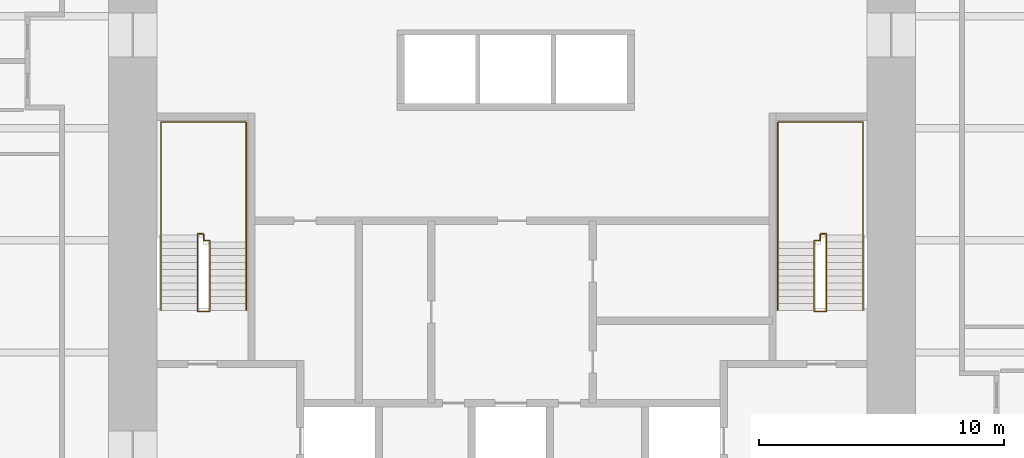
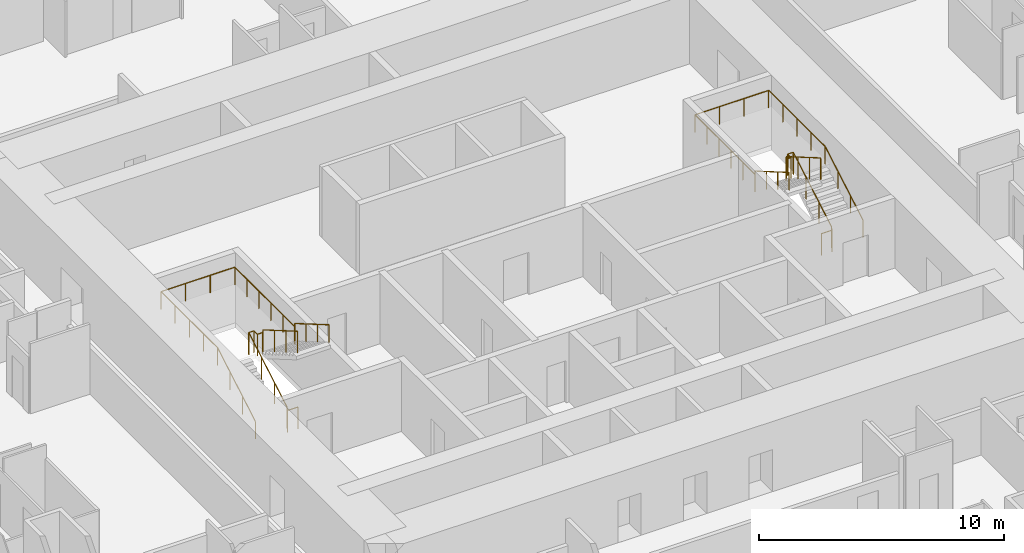
# One storey, part 13 of 13: 4 railings.
"""IFC4 building model written with IfcOpenShell, lengths in metres."""

from ifc_helpers import new_model, si_unit, direction, frame, origin, origin_2d, place, context, subcontext, project, spatial, circle, extrude, material, type_object, element, save


model = new_model("IFC4")

# Units and contexts
model_context = context("Model", 3, precision=1e-05, world=origin(), true_north=direction((0.0, 1.0)))
body_context = subcontext(model_context, "Body", "Model", "MODEL_VIEW")
ifc_project = project(units=[si_unit("LENGTHUNIT", "METRE"), si_unit("AREAUNIT", "SQUARE_METRE"), si_unit("VOLUMEUNIT", "CUBIC_METRE"), si_unit("PLANEANGLEUNIT", "RADIAN"), si_unit("MASSUNIT", "GRAM", prefix="KILO")], contexts=[model_context])

# Site, building, storey
site_placement = place(None, origin())
site = spatial("IfcSite", under=ifc_project, at=site_placement, CompositionType="ELEMENT")
building_placement = place(site_placement, origin())
building = spatial("IfcBuilding", under=site, at=building_placement, Name="Khuree Lantern Residences", CompositionType="ELEMENT")
storey_placement = place(building_placement, frame((0.0, 0.0, 114.75)))
storey = spatial("IfcBuildingStorey", under=building, at=storey_placement, Name="L28", CompositionType="ELEMENT", Elevation=114.75)

# Railings
ifc_material = material(Name="Steel S355", Category="steel")
railing_type_1 = type_object("IfcRailingType", Name="STAIR GUARD G1 1100", PredefinedType="GUARDRAIL", material=ifc_material)
railing_1_placement = place(storey_placement, frame((-12.35009765625, -2.909912109375, 0.0)))
element("IfcRailing", 1, at=railing_1_placement, inside=storey, type_object=railing_type_1, Name="Stair ST1 guard", PredefinedType="GUARDRAIL", context=body_context, shape_type="SweptSolid", body=[
    extrude(circle(Radius=0.02392578125, at=origin_2d()), frame((0.0, 0.0, 1.076171875), z_axis=(-1.0, 0.0, 0.0), x_axis=(0.0, -1.0, 0.0)), (0.0, 0.0, 1.0), 0.5),
    extrude(circle(Radius=0.02392578125, at=origin_2d()), frame((-0.5, 0.0, 1.076171875), z_axis=(0.0, 0.292073035251, 0.95639601739), x_axis=(-1.0, 0.0, 0.0)), (0.0, 0.0, 1.0), 0.17041015625),
    extrude(circle(Radius=0.02392578125, at=origin_2d()), frame((-0.5, 0.0498046875, 1.2392578125), z_axis=(0.0, 0.864176135923, 0.503189433615), x_axis=(-1.0, 0.0, 0.0)), (0.0, 0.0, 1.0), 3.564208984375),
    extrude(circle(Radius=0.02392578125, at=origin_2d()), frame((-0.5, 3.1298828125, 3.03271484375), z_axis=(0.0, 1.0, 0.0), x_axis=(-1.0, 0.0, 0.0)), (0.0, 0.0, 1.0), 0.050048828125),
    extrude(circle(Radius=0.02392578125, at=origin_2d()), frame((-0.5, 3.179931640625, 3.03271484375), z_axis=(1.0, 0.0, 0.0), x_axis=(0.0, 1.0, 0.0)), (0.0, 0.0, 1.0), 0.25),
    extrude(circle(Radius=0.02392578125, at=origin_2d()), frame((-0.25, 3.179931640625, 3.03271484375), z_axis=(0.0, -1.0, 0.0), x_axis=(1.0, 0.0, 0.0)), (0.0, 0.0, 1.0), 0.280029296875),
    extrude(circle(Radius=0.02392578125, at=origin_2d()), frame((-0.25, 2.89990234375, 3.03271484375), z_axis=(1.0, 0.0, 0.0), x_axis=(0.0, 1.0, 0.0)), (0.0, 0.0, 1.0), 0.25),
    extrude(circle(Radius=0.02392578125, at=origin_2d()), frame((0.0, 2.89990234375, 3.03271484375), z_axis=(0.0, -0.293381807449, 0.955995353053), x_axis=(1.0, 0.0, 0.0)), (0.0, 0.0, 1.0), 0.170654296875),
    extrude(circle(Radius=0.02392578125, at=origin_2d()), frame((0.0, 2.849853515625, 3.19580078125), z_axis=(0.0, -0.864180358799, 0.503182181189), x_axis=(1.0, 0.0, 0.0)), (0.0, 0.0, 1.0), 3.240234375),
    extrude(circle(Radius=0.02099609375, at=origin_2d()), origin(), (0.0, 0.0, 1.0), 1.052001953125),
    extrude(circle(Radius=0.02099609375, at=origin_2d()), frame((-0.5, 0.0, 0.0)), (0.0, 0.0, 1.0), 1.052001953125),
    extrude(circle(Radius=0.02099609375, at=origin_2d()), frame((-0.5, 0.0498046875, 0.1630859375)), (0.0, 0.0, 1.0), 1.052001953125),
    extrude(circle(Radius=0.02099609375, at=origin_2d()), frame((-0.5, 1.076416015625, 0.760986328125)), (0.0, 0.0, 1.0), 1.052001953125),
    extrude(circle(Radius=0.02099609375, at=origin_2d()), frame((-0.5, 2.103271484375, 1.358642578125)), (0.0, 0.0, 1.0), 1.052001953125),
    extrude(circle(Radius=0.02099609375, at=origin_2d()), frame((-0.5, 3.1298828125, 1.95654296875)), (0.0, 0.0, 1.0), 1.052001953125),
    extrude(circle(Radius=0.02099609375, at=origin_2d()), frame((-0.5, 3.179931640625, 1.95654296875)), (0.0, 0.0, 1.0), 1.052001953125),
    extrude(circle(Radius=0.02099609375, at=origin_2d()), frame((-0.25, 3.179931640625, 1.95654296875)), (0.0, 0.0, 1.0), 1.052001953125),
    extrude(circle(Radius=0.02099609375, at=origin_2d()), frame((-0.25, 2.89990234375, 1.95654296875)), (0.0, 0.0, 1.0), 1.052001953125),
    extrude(circle(Radius=0.02099609375, at=origin_2d()), frame((0.0, 2.89990234375, 1.95654296875)), (0.0, 0.0, 1.0), 1.052001953125),
    extrude(circle(Radius=0.02099609375, at=origin_2d()), frame((0.0, 2.849853515625, 2.11962890625)), (0.0, 0.0, 1.0), 1.052001953125),
    extrude(circle(Radius=0.02099609375, at=origin_2d()), frame((0.0, 1.91650390625, 2.6630859375)), (0.0, 0.0, 1.0), 1.052001953125),
    extrude(circle(Radius=0.02099609375, at=origin_2d()), frame((0.0, 0.983154296875, 3.20654296875)), (0.0, 0.0, 1.0), 1.052001953125),
    extrude(circle(Radius=0.02099609375, at=origin_2d()), frame((0.0, 0.0498046875, 3.75)), (0.0, 0.0, 1.0), 1.052001953125),
])
railing_2_placement = place(storey_placement, frame((12.35009765625, -2.909912109375, 0.0)))
element("IfcRailing", 2, at=railing_2_placement, inside=storey, type_object=railing_type_1, Name="Stair ST2 guard", PredefinedType="GUARDRAIL", context=body_context, shape_type="SweptSolid", body=[
    extrude(circle(Radius=0.02392578125, at=origin_2d()), frame((0.0, 0.0, 1.076171875), z_axis=(1.0, 0.0, 0.0), x_axis=(0.0, 1.0, 0.0)), (0.0, 0.0, 1.0), 0.5),
    extrude(circle(Radius=0.02392578125, at=origin_2d()), frame((0.5, 0.0, 1.076171875), z_axis=(0.0, 0.292073035251, 0.95639601739), x_axis=(-1.0, 0.0, 0.0)), (0.0, 0.0, 1.0), 0.17041015625),
    extrude(circle(Radius=0.02392578125, at=origin_2d()), frame((0.5, 0.0498046875, 1.2392578125), z_axis=(0.0, 0.864176135923, 0.503189433615), x_axis=(-1.0, 0.0, 0.0)), (0.0, 0.0, 1.0), 3.564208984375),
    extrude(circle(Radius=0.02392578125, at=origin_2d()), frame((0.5, 3.1298828125, 3.03271484375), z_axis=(0.0, 1.0, 0.0), x_axis=(-1.0, 0.0, 0.0)), (0.0, 0.0, 1.0), 0.050048828125),
    extrude(circle(Radius=0.02392578125, at=origin_2d()), frame((0.5, 3.179931640625, 3.03271484375), z_axis=(-1.0, 0.0, 0.0), x_axis=(0.0, -1.0, 0.0)), (0.0, 0.0, 1.0), 0.25),
    extrude(circle(Radius=0.02392578125, at=origin_2d()), frame((0.25, 3.179931640625, 3.03271484375), z_axis=(0.0, -1.0, 0.0), x_axis=(1.0, 0.0, 0.0)), (0.0, 0.0, 1.0), 0.280029296875),
    extrude(circle(Radius=0.02392578125, at=origin_2d()), frame((0.25, 2.89990234375, 3.03271484375), z_axis=(-1.0, 0.0, 0.0), x_axis=(0.0, -1.0, 0.0)), (0.0, 0.0, 1.0), 0.25),
    extrude(circle(Radius=0.02392578125, at=origin_2d()), frame((0.0, 2.89990234375, 3.03271484375), z_axis=(0.0, -0.293381807449, 0.955995353053), x_axis=(1.0, 0.0, 0.0)), (0.0, 0.0, 1.0), 0.170654296875),
    extrude(circle(Radius=0.02392578125, at=origin_2d()), frame((0.0, 2.849853515625, 3.19580078125), z_axis=(0.0, -0.864180358799, 0.503182181189), x_axis=(1.0, 0.0, 0.0)), (0.0, 0.0, 1.0), 3.240234375),
    extrude(circle(Radius=0.02099609375, at=origin_2d()), origin(), (0.0, 0.0, 1.0), 1.052001953125),
    extrude(circle(Radius=0.02099609375, at=origin_2d()), frame((0.5, 0.0, 0.0)), (0.0, 0.0, 1.0), 1.052001953125),
    extrude(circle(Radius=0.02099609375, at=origin_2d()), frame((0.5, 0.0498046875, 0.1630859375)), (0.0, 0.0, 1.0), 1.052001953125),
    extrude(circle(Radius=0.02099609375, at=origin_2d()), frame((0.5, 1.076416015625, 0.760986328125)), (0.0, 0.0, 1.0), 1.052001953125),
    extrude(circle(Radius=0.02099609375, at=origin_2d()), frame((0.5, 2.103271484375, 1.358642578125)), (0.0, 0.0, 1.0), 1.052001953125),
    extrude(circle(Radius=0.02099609375, at=origin_2d()), frame((0.5, 3.1298828125, 1.95654296875)), (0.0, 0.0, 1.0), 1.052001953125),
    extrude(circle(Radius=0.02099609375, at=origin_2d()), frame((0.5, 3.179931640625, 1.95654296875)), (0.0, 0.0, 1.0), 1.052001953125),
    extrude(circle(Radius=0.02099609375, at=origin_2d()), frame((0.25, 3.179931640625, 1.95654296875)), (0.0, 0.0, 1.0), 1.052001953125),
    extrude(circle(Radius=0.02099609375, at=origin_2d()), frame((0.25, 2.89990234375, 1.95654296875)), (0.0, 0.0, 1.0), 1.052001953125),
    extrude(circle(Radius=0.02099609375, at=origin_2d()), frame((0.0, 2.89990234375, 1.95654296875)), (0.0, 0.0, 1.0), 1.052001953125),
    extrude(circle(Radius=0.02099609375, at=origin_2d()), frame((0.0, 2.849853515625, 2.11962890625)), (0.0, 0.0, 1.0), 1.052001953125),
    extrude(circle(Radius=0.02099609375, at=origin_2d()), frame((0.0, 1.91650390625, 2.6630859375)), (0.0, 0.0, 1.0), 1.052001953125),
    extrude(circle(Radius=0.02099609375, at=origin_2d()), frame((0.0, 0.983154296875, 3.20654296875)), (0.0, 0.0, 1.0), 1.052001953125),
    extrude(circle(Radius=0.02099609375, at=origin_2d()), frame((0.0, 0.0498046875, 3.75)), (0.0, 0.0, 1.0), 1.052001953125),
])
railing_type_2 = type_object("IfcRailingType", Name="STAIR HANDRAIL H1 900", PredefinedType="HANDRAIL", material=ifc_material)
railing_3_placement = place(storey_placement, frame((-14.340087890625, -2.860107421875, 0.1630859375)))
element("IfcRailing", 3, at=railing_3_placement, inside=storey, type_object=railing_type_2, Name="Stair ST1 handrail", PredefinedType="HANDRAIL", context=body_context, shape_type="SweptSolid", body=[
    extrude(circle(Radius=0.02392578125, at=origin_2d()), frame((0.0, 0.0, 0.8759765625), z_axis=(0.0, 0.864176135923, 0.503189433615), x_axis=(-1.0, 0.0, 0.0)), (0.0, 0.0, 1.0), 3.564208984375),
    extrude(circle(Radius=0.02392578125, at=origin_2d()), frame((0.0, 3.080078125, 2.66943359375), z_axis=(0.0, 1.0, 0.0), x_axis=(-1.0, 0.0, 0.0)), (0.0, 0.0, 1.0), 4.6201171875),
    extrude(circle(Radius=0.02392578125, at=origin_2d()), frame((0.0, 7.7001953125, 2.66943359375), z_axis=(1.0, 0.0, 0.0), x_axis=(0.0, 1.0, 0.0)), (0.0, 0.0, 1.0), 3.47998046875),
    extrude(circle(Radius=0.02392578125, at=origin_2d()), frame((3.47998046875, 7.7001953125, 2.66943359375), z_axis=(0.0, -1.0, 0.0), x_axis=(1.0, 0.0, 0.0)), (0.0, 0.0, 1.0), 4.900146484375),
    extrude(circle(Radius=0.02392578125, at=origin_2d()), frame((3.47998046875, 2.800048828125, 2.66943359375), z_axis=(0.0, 0.0, 1.0), x_axis=(1.0, 0.0, 0.0)), (0.0, 0.0, 1.0), 0.1630859375),
    extrude(circle(Radius=0.02392578125, at=origin_2d()), frame((3.47998046875, 2.800048828125, 2.83251953125), z_axis=(0.0, -0.864180358799, 0.503182181189), x_axis=(1.0, 0.0, 0.0)), (0.0, 0.0, 1.0), 3.240234375),
    extrude(circle(Radius=0.02099609375, at=origin_2d()), origin(), (0.0, 0.0, 1.0), 0.851806640625),
    extrude(circle(Radius=0.02099609375, at=origin_2d()), frame((0.0, 1.026611328125, 0.597900390625)), (0.0, 0.0, 1.0), 0.851806640625),
    extrude(circle(Radius=0.02099609375, at=origin_2d()), frame((0.0, 2.053466796875, 1.195556640625)), (0.0, 0.0, 1.0), 0.851806640625),
    extrude(circle(Radius=0.02099609375, at=origin_2d()), frame((0.0, 3.080078125, 1.79345703125)), (0.0, 0.0, 1.0), 0.851806640625),
    extrude(circle(Radius=0.02099609375, at=origin_2d()), frame((0.0, 4.235107421875, 1.79345703125)), (0.0, 0.0, 1.0), 0.851806640625),
    extrude(circle(Radius=0.02099609375, at=origin_2d()), frame((0.0, 5.39013671875, 1.79345703125)), (0.0, 0.0, 1.0), 0.851806640625),
    extrude(circle(Radius=0.02099609375, at=origin_2d()), frame((0.0, 6.545166015625, 1.79345703125)), (0.0, 0.0, 1.0), 0.851806640625),
    extrude(circle(Radius=0.02099609375, at=origin_2d()), frame((0.0, 7.7001953125, 1.79345703125)), (0.0, 0.0, 1.0), 0.851806640625),
    extrude(circle(Radius=0.02099609375, at=origin_2d()), frame((1.159912109375, 7.7001953125, 1.79345703125)), (0.0, 0.0, 1.0), 0.851806640625),
    extrude(circle(Radius=0.02099609375, at=origin_2d()), frame((2.320068359375, 7.7001953125, 1.79345703125)), (0.0, 0.0, 1.0), 0.851806640625),
    extrude(circle(Radius=0.02099609375, at=origin_2d()), frame((3.47998046875, 7.7001953125, 1.79345703125)), (0.0, 0.0, 1.0), 0.851806640625),
    extrude(circle(Radius=0.02099609375, at=origin_2d()), frame((3.47998046875, 6.72021484375, 1.79345703125)), (0.0, 0.0, 1.0), 0.851806640625),
    extrude(circle(Radius=0.02099609375, at=origin_2d()), frame((3.47998046875, 5.740234375, 1.79345703125)), (0.0, 0.0, 1.0), 0.851806640625),
    extrude(circle(Radius=0.02099609375, at=origin_2d()), frame((3.47998046875, 4.760009765625, 1.79345703125)), (0.0, 0.0, 1.0), 0.851806640625),
    extrude(circle(Radius=0.02099609375, at=origin_2d()), frame((3.47998046875, 3.780029296875, 1.79345703125)), (0.0, 0.0, 1.0), 0.851806640625),
    extrude(circle(Radius=0.02099609375, at=origin_2d()), frame((3.47998046875, 2.800048828125, 1.79345703125)), (0.0, 0.0, 1.0), 0.851806640625),
    extrude(circle(Radius=0.02099609375, at=origin_2d()), frame((3.47998046875, 2.800048828125, 1.95654296875)), (0.0, 0.0, 1.0), 0.851806640625),
    extrude(circle(Radius=0.02099609375, at=origin_2d()), frame((3.47998046875, 1.86669921875, 2.5)), (0.0, 0.0, 1.0), 0.851806640625),
    extrude(circle(Radius=0.02099609375, at=origin_2d()), frame((3.47998046875, 0.933349609375, 3.04345703125)), (0.0, 0.0, 1.0), 0.851806640625),
    extrude(circle(Radius=0.02099609375, at=origin_2d()), frame((3.47998046875, 0.0, 3.5869140625)), (0.0, 0.0, 1.0), 0.851806640625),
])
railing_4_placement = place(storey_placement, frame((14.340087890625, -2.860107421875, 0.1630859375)))
element("IfcRailing", 4, at=railing_4_placement, inside=storey, type_object=railing_type_2, Name="Stair ST2 handrail", PredefinedType="HANDRAIL", context=body_context, shape_type="SweptSolid", body=[
    extrude(circle(Radius=0.02392578125, at=origin_2d()), frame((0.0, 0.0, 0.8759765625), z_axis=(0.0, 0.864176135923, 0.503189433615), x_axis=(-1.0, 0.0, 0.0)), (0.0, 0.0, 1.0), 3.564208984375),
    extrude(circle(Radius=0.02392578125, at=origin_2d()), frame((0.0, 3.080078125, 2.66943359375), z_axis=(0.0, 1.0, 0.0), x_axis=(-1.0, 0.0, 0.0)), (0.0, 0.0, 1.0), 4.6201171875),
    extrude(circle(Radius=0.02392578125, at=origin_2d()), frame((0.0, 7.7001953125, 2.66943359375), z_axis=(-1.0, 0.0, 0.0), x_axis=(0.0, -1.0, 0.0)), (0.0, 0.0, 1.0), 3.47998046875),
    extrude(circle(Radius=0.02392578125, at=origin_2d()), frame((-3.47998046875, 7.7001953125, 2.66943359375), z_axis=(0.0, -1.0, 0.0), x_axis=(1.0, 0.0, 0.0)), (0.0, 0.0, 1.0), 4.900146484375),
    extrude(circle(Radius=0.02392578125, at=origin_2d()), frame((-3.47998046875, 2.800048828125, 2.66943359375), z_axis=(0.0, 0.0, 1.0), x_axis=(1.0, 0.0, 0.0)), (0.0, 0.0, 1.0), 0.1630859375),
    extrude(circle(Radius=0.02392578125, at=origin_2d()), frame((-3.47998046875, 2.800048828125, 2.83251953125), z_axis=(0.0, -0.864180358799, 0.503182181189), x_axis=(1.0, 0.0, 0.0)), (0.0, 0.0, 1.0), 3.240234375),
    extrude(circle(Radius=0.02099609375, at=origin_2d()), origin(), (0.0, 0.0, 1.0), 0.851806640625),
    extrude(circle(Radius=0.02099609375, at=origin_2d()), frame((0.0, 1.026611328125, 0.597900390625)), (0.0, 0.0, 1.0), 0.851806640625),
    extrude(circle(Radius=0.02099609375, at=origin_2d()), frame((0.0, 2.053466796875, 1.195556640625)), (0.0, 0.0, 1.0), 0.851806640625),
    extrude(circle(Radius=0.02099609375, at=origin_2d()), frame((0.0, 3.080078125, 1.79345703125)), (0.0, 0.0, 1.0), 0.851806640625),
    extrude(circle(Radius=0.02099609375, at=origin_2d()), frame((0.0, 4.235107421875, 1.79345703125)), (0.0, 0.0, 1.0), 0.851806640625),
    extrude(circle(Radius=0.02099609375, at=origin_2d()), frame((0.0, 5.39013671875, 1.79345703125)), (0.0, 0.0, 1.0), 0.851806640625),
    extrude(circle(Radius=0.02099609375, at=origin_2d()), frame((0.0, 6.545166015625, 1.79345703125)), (0.0, 0.0, 1.0), 0.851806640625),
    extrude(circle(Radius=0.02099609375, at=origin_2d()), frame((0.0, 7.7001953125, 1.79345703125)), (0.0, 0.0, 1.0), 0.851806640625),
    extrude(circle(Radius=0.02099609375, at=origin_2d()), frame((-1.159912109375, 7.7001953125, 1.79345703125)), (0.0, 0.0, 1.0), 0.851806640625),
    extrude(circle(Radius=0.02099609375, at=origin_2d()), frame((-2.320068359375, 7.7001953125, 1.79345703125)), (0.0, 0.0, 1.0), 0.851806640625),
    extrude(circle(Radius=0.02099609375, at=origin_2d()), frame((-3.47998046875, 7.7001953125, 1.79345703125)), (0.0, 0.0, 1.0), 0.851806640625),
    extrude(circle(Radius=0.02099609375, at=origin_2d()), frame((-3.47998046875, 6.72021484375, 1.79345703125)), (0.0, 0.0, 1.0), 0.851806640625),
    extrude(circle(Radius=0.02099609375, at=origin_2d()), frame((-3.47998046875, 5.740234375, 1.79345703125)), (0.0, 0.0, 1.0), 0.851806640625),
    extrude(circle(Radius=0.02099609375, at=origin_2d()), frame((-3.47998046875, 4.760009765625, 1.79345703125)), (0.0, 0.0, 1.0), 0.851806640625),
    extrude(circle(Radius=0.02099609375, at=origin_2d()), frame((-3.47998046875, 3.780029296875, 1.79345703125)), (0.0, 0.0, 1.0), 0.851806640625),
    extrude(circle(Radius=0.02099609375, at=origin_2d()), frame((-3.47998046875, 2.800048828125, 1.79345703125)), (0.0, 0.0, 1.0), 0.851806640625),
    extrude(circle(Radius=0.02099609375, at=origin_2d()), frame((-3.47998046875, 2.800048828125, 1.95654296875)), (0.0, 0.0, 1.0), 0.851806640625),
    extrude(circle(Radius=0.02099609375, at=origin_2d()), frame((-3.47998046875, 1.86669921875, 2.5)), (0.0, 0.0, 1.0), 0.851806640625),
    extrude(circle(Radius=0.02099609375, at=origin_2d()), frame((-3.47998046875, 0.933349609375, 3.04345703125)), (0.0, 0.0, 1.0), 0.851806640625),
    extrude(circle(Radius=0.02099609375, at=origin_2d()), frame((-3.47998046875, 0.0, 3.5869140625)), (0.0, 0.0, 1.0), 0.851806640625),
])

save(model, "model.ifc")
